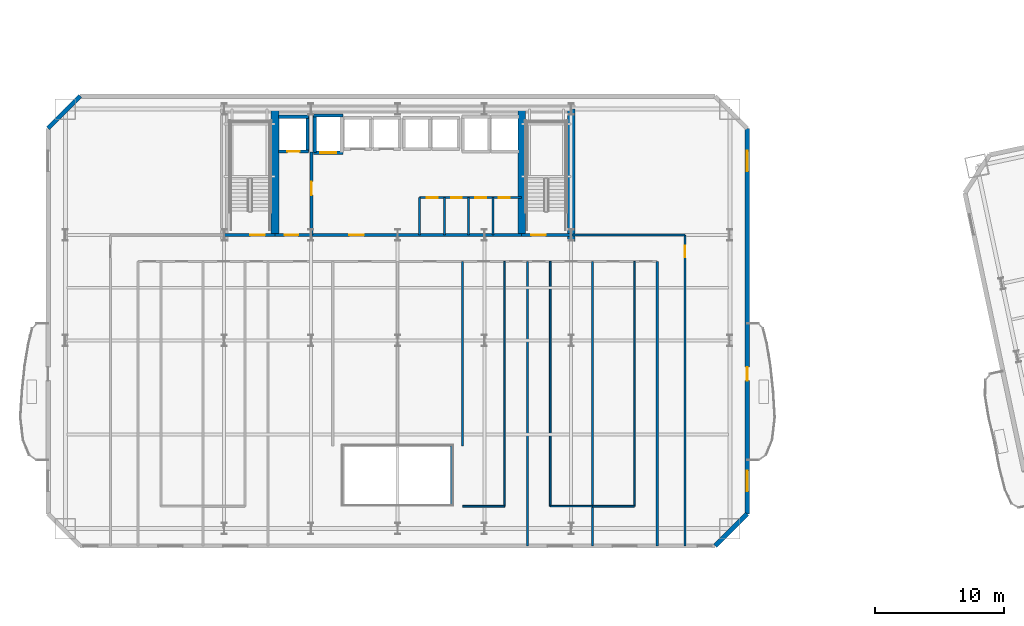
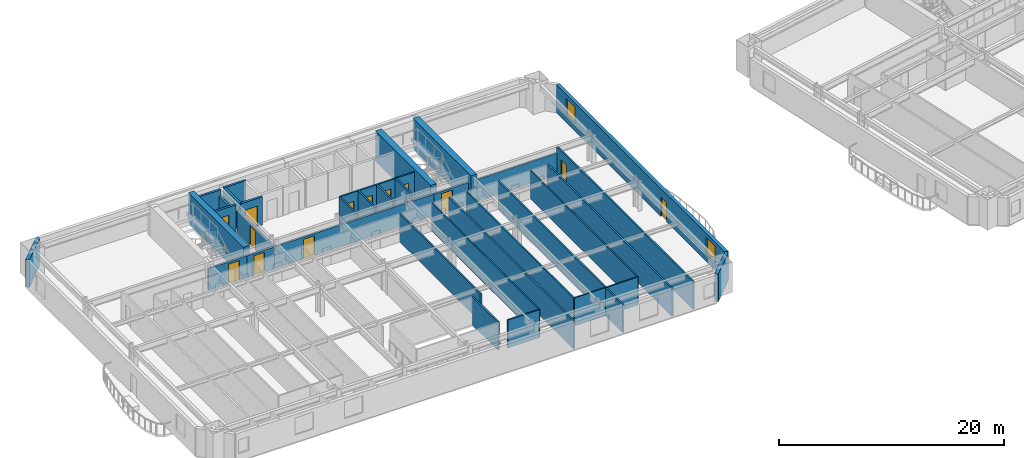
# One storey, part 6 of 17: 35 walls, 13 doors, 2 windows, 15 openings.
"""IFC4 building model written with IfcOpenShell, lengths in metres."""

from ifc_helpers import new_model, si_unit, direction, frame, frame_2d, origin, place, context, subcontext, project, spatial, rectangle, extrude, material, layer, layer_set, type_object, element, fill, save


model = new_model("IFC4")

# Units and contexts
model_context = context("Model", 3, precision=1e-05, world=origin(), true_north=direction((0.0, 1.0)))
body_context = subcontext(model_context, "Body", "Model", "MODEL_VIEW")
ifc_project = project(units=[si_unit("LENGTHUNIT", "METRE"), si_unit("AREAUNIT", "SQUARE_METRE"), si_unit("VOLUMEUNIT", "CUBIC_METRE"), si_unit("PLANEANGLEUNIT", "RADIAN"), si_unit("MASSUNIT", "GRAM", prefix="KILO")], contexts=[model_context])

# Site, building, storey
site_placement = place(None, origin())
site = spatial("IfcSite", under=ifc_project, at=site_placement, CompositionType="ELEMENT")
building_placement = place(site_placement, origin())
building = spatial("IfcBuilding", under=site, at=building_placement, Name="Haevon Station Towers", CompositionType="ELEMENT")
storey_placement = place(building_placement, frame((0.0, 0.0, 37.199951171875)))
storey = spatial("IfcBuildingStorey", under=building, at=storey_placement, Name="L08", CompositionType="ELEMENT", Elevation=37.199951171875)

# Wall, opening, door
ifc_material_1 = material(Name="Gypsum board on steel stud", Category="steel")
ifc_layer_1 = layer(ifc_material_1, 0.199951171875)
ifc_layer_set_1 = layer_set([ifc_layer_1], Name="Gypsum board on steel stud")
wall_type_1 = type_object("IfcWallType", Name="WL-COR200", PredefinedType="PARTITIONING", material=ifc_layer_set_1)
wall_1_placement = place(storey_placement, frame((24.0, 38.199951171875, 0.0), z_axis=(0.0, 0.0, 1.0), x_axis=(1.0, 0.0, 0.0)))
wall_1 = element("IfcWall", 1, at=wall_1_placement, inside=storey, type_object=wall_type_1, Name="WL-ST-ST1-L08", PredefinedType="PARTITIONING", context=body_context, shape_type="SweptSolid", body=[
    extrude(rectangle(XDim=3.949951171875, YDim=0.199951171875, at=frame_2d((1.97509765625, 0.0))), origin(), (0.0, 0.0, 1.0), 2.330078125),
])
opening_1_placement = place(wall_1_placement, frame((2.050048828125, 0.0, 0.0)))
opening_1 = element("IfcOpeningElement", 2, at=opening_1_placement, cuts=wall_1, Name="Opening DR-ST-ST1-L08", PredefinedType="OPENING", context=body_context, shape_type="SweptSolid", body=[
    extrude(rectangle(XDim=1.1201171875, YDim=2.10009765625, at=frame_2d((0.56005859375, 1.050048828125))), frame((0.0, 0.10986328125, 0.0), z_axis=(0.0, -1.0, 0.0), x_axis=(1.0, 0.0, 0.0)), (0.0, 0.0, 1.0), 0.219970703125),
])
ifc_material_2 = material(Name="Engineered oak timber", Category="wood")
door_type_1 = type_object("IfcDoorType", Name="DR-ST-1120", OperationType="NOTDEFINED", PredefinedType="DOOR", material=ifc_material_2)
door_1_placement = place(opening_1_placement, origin())
door_1 = element("IfcDoor", 3, at=door_1_placement, inside=storey, type_object=door_type_1, Name="L08 Escape Stair ST1 Fire Door", OperationType="SINGLE_SWING_LEFT", OverallHeight=2.10009765625, OverallWidth=1.1201171875, PredefinedType="DOOR", context=body_context, shape_type="SweptSolid", body=[
    extrude(rectangle(XDim=1.1201171875, YDim=2.10009765625, at=frame_2d((0.56005859375, 1.050048828125))), frame((0.0, 0.02490234375, 0.0), z_axis=(0.0, -1.0, 0.0), x_axis=(1.0, 0.0, 0.0)), (0.0, 0.0, 1.0), 0.050048828125),
])
fill(opening_1, door_1)

wall_2_placement = place(storey_placement, frame((47.14990234375, 38.199951171875, 0.0), z_axis=(0.0, 0.0, 1.0), x_axis=(1.0, 0.0, 0.0)))
wall_2 = element("IfcWall", 4, at=wall_2_placement, inside=storey, type_object=wall_type_1, Name="WL-ST-ST2-L08", PredefinedType="PARTITIONING", context=body_context, shape_type="SweptSolid", body=[
    extrude(rectangle(XDim=3.85009765625, YDim=0.199951171875, at=frame_2d((1.925048828125, 0.0))), origin(), (0.0, 0.0, 1.0), 2.330078125),
])
opening_2_placement = place(wall_2_placement, frame((0.75, 0.0, 0.0)))
opening_2 = element("IfcOpeningElement", 5, at=opening_2_placement, cuts=wall_2, Name="Opening DR-ST-ST2-L08", PredefinedType="OPENING", context=body_context, shape_type="SweptSolid", body=[
    extrude(rectangle(XDim=1.1201171875, YDim=2.10009765625, at=frame_2d((0.56005859375, 1.050048828125))), frame((0.0, 0.10986328125, 0.0), z_axis=(0.0, -1.0, 0.0), x_axis=(1.0, 0.0, 0.0)), (0.0, 0.0, 1.0), 0.219970703125),
])
door_2_placement = place(opening_2_placement, origin())
door_2 = element("IfcDoor", 6, at=door_2_placement, inside=storey, type_object=door_type_1, Name="L08 Escape Stair ST2 Fire Door", OperationType="SINGLE_SWING_RIGHT", OverallHeight=2.10009765625, OverallWidth=1.1201171875, PredefinedType="DOOR", context=body_context, shape_type="SweptSolid", body=[
    extrude(rectangle(XDim=1.1201171875, YDim=2.10009765625, at=frame_2d((0.56005859375, 1.050048828125))), frame((0.0, 0.02490234375, 0.0), z_axis=(0.0, -1.0, 0.0), x_axis=(1.0, 0.0, 0.0)), (0.0, 0.0, 1.0), 0.050048828125),
])
fill(opening_2, door_2)

wall_3_placement = place(storey_placement, frame((30.800048828125, 38.199951171875, 0.0), z_axis=(0.0, 0.0, 1.0), x_axis=(0.0, 1.0, 0.0)))
wall_3 = element("IfcWall", 7, at=wall_3_placement, inside=storey, type_object=wall_type_1, Name="WL-T1FFL-L08-E", PredefinedType="PARTITIONING", context=body_context, shape_type="SweptSolid", body=[
    extrude(rectangle(XDim=6.449951171875, YDim=0.199951171875, at=frame_2d((3.22509765625, 0.0))), origin(), (0.0, 0.0, 1.0), 2.330078125),
])
opening_3_placement = place(wall_3_placement, frame((3.10009765625, 0.0, 0.0)))
opening_3 = element("IfcOpeningElement", 8, at=opening_3_placement, cuts=wall_3, Name="Opening DR-T1FFL-L08-E", PredefinedType="OPENING", context=body_context, shape_type="SweptSolid", body=[
    extrude(rectangle(XDim=1.050048828125, YDim=2.10009765625, at=frame_2d((0.52490234375, 1.050048828125))), frame((0.0, 0.10986328125, 0.0), z_axis=(0.0, -1.0, 0.0), x_axis=(1.0, 0.0, 0.0)), (0.0, 0.0, 1.0), 0.219970703125),
])
door_type_2 = type_object("IfcDoorType", Name="DR-FD60-1050", OperationType="NOTDEFINED", PredefinedType="DOOR", material=ifc_material_2)
door_3_placement = place(opening_3_placement, origin())
door_3 = element("IfcDoor", 9, at=door_3_placement, inside=storey, type_object=door_type_2, Name="L08 Tower 1 Firefighting Lift Lobby Door E", OperationType="SINGLE_SWING_LEFT", OverallHeight=2.10009765625, OverallWidth=1.050048828125, PredefinedType="DOOR", context=body_context, shape_type="SweptSolid", body=[
    extrude(rectangle(XDim=1.050048828125, YDim=2.10009765625, at=frame_2d((0.52490234375, 1.050048828125))), frame((0.0, 0.02490234375, 0.0), z_axis=(0.0, -1.0, 0.0), x_axis=(1.0, 0.0, 0.0)), (0.0, 0.0, 1.0), 0.050048828125),
])
fill(opening_3, door_3)

wall_4_placement = place(storey_placement, frame((27.949951171875, 38.199951171875, 0.0), z_axis=(0.0, 0.0, 1.0), x_axis=(1.0, 0.0, 0.0)))
wall_4 = element("IfcWall", 10, at=wall_4_placement, inside=storey, type_object=wall_type_1, Name="WL-T1FFL-L08-S", PredefinedType="PARTITIONING", context=body_context, shape_type="SweptSolid", body=[
    extrude(rectangle(XDim=2.85009765625, YDim=0.199951171875, at=frame_2d((1.425048828125, 0.0))), origin(), (0.0, 0.0, 1.0), 2.330078125),
])
opening_4_placement = place(wall_4_placement, frame((0.75, 0.0, 0.0)))
opening_4 = element("IfcOpeningElement", 11, at=opening_4_placement, cuts=wall_4, Name="Opening DR-T1FFL-L08-S", PredefinedType="OPENING", context=body_context, shape_type="SweptSolid", body=[
    extrude(rectangle(XDim=1.050048828125, YDim=2.10009765625, at=frame_2d((0.52490234375, 1.050048828125))), frame((0.0, 0.10986328125, 0.0), z_axis=(0.0, -1.0, 0.0), x_axis=(1.0, 0.0, 0.0)), (0.0, 0.0, 1.0), 0.219970703125),
])
door_4_placement = place(opening_4_placement, origin())
door_4 = element("IfcDoor", 12, at=door_4_placement, inside=storey, type_object=door_type_2, Name="L08 Tower 1 Firefighting Lift Lobby Door S", OperationType="SINGLE_SWING_RIGHT", OverallHeight=2.10009765625, OverallWidth=1.050048828125, PredefinedType="DOOR", context=body_context, shape_type="SweptSolid", body=[
    extrude(rectangle(XDim=1.050048828125, YDim=2.10009765625, at=frame_2d((0.52490234375, 1.050048828125))), frame((0.0, 0.02490234375, 0.0), z_axis=(0.0, -1.0, 0.0), x_axis=(1.0, 0.0, 0.0)), (0.0, 0.0, 1.0), 0.050048828125),
])
fill(opening_4, door_4)

wall_5_placement = place(storey_placement, frame((30.800048828125, 38.199951171875, 0.0), z_axis=(0.0, 0.0, 1.0), x_axis=(1.0, 0.0, 0.0)))
wall_5 = element("IfcWall", 13, at=wall_5_placement, inside=storey, type_object=wall_type_1, Name="WL-T1CLB-L08", PredefinedType="PARTITIONING", context=body_context, shape_type="SweptSolid", body=[
    extrude(rectangle(XDim=16.349853515625, YDim=0.199951171875, at=frame_2d((8.1748046875, 0.0))), origin(), (0.0, 0.0, 1.0), 2.330078125),
])
opening_5_placement = place(wall_5_placement, frame((2.949951171875, 0.0, 0.0)))
opening_5 = element("IfcOpeningElement", 14, at=opening_5_placement, cuts=wall_5, Name="Opening DR-T1CLB-L08-1", PredefinedType="OPENING", context=body_context, shape_type="SweptSolid", body=[
    extrude(rectangle(XDim=1.1201171875, YDim=2.10009765625, at=frame_2d((0.56005859375, 1.050048828125))), frame((0.0, 0.10986328125, 0.0), z_axis=(0.0, -1.0, 0.0), x_axis=(1.0, 0.0, 0.0)), (0.0, 0.0, 1.0), 0.219970703125),
])
door_5_placement = place(opening_5_placement, origin())
door_5 = element("IfcDoor", 15, at=door_5_placement, inside=storey, type_object=door_type_1, Name="L08 Tower 1 Core Lift Lobby Door 1", OperationType="SINGLE_SWING_LEFT", OverallHeight=2.10009765625, OverallWidth=1.1201171875, PredefinedType="DOOR", context=body_context, shape_type="SweptSolid", body=[
    extrude(rectangle(XDim=1.1201171875, YDim=2.10009765625, at=frame_2d((0.56005859375, 1.050048828125))), frame((0.0, 0.02490234375, 0.0), z_axis=(0.0, -1.0, 0.0), x_axis=(1.0, 0.0, 0.0)), (0.0, 0.0, 1.0), 0.050048828125),
])
fill(opening_5, door_5)

# Walls
ifc_material_3 = material(Name="Concrete C60/75", Category="concrete")
ifc_layer_2 = layer(ifc_material_3, 0.60009765625)
ifc_layer_set_2 = layer_set([ifc_layer_2], Name="Concrete C60/75")
wall_type_2 = type_object("IfcWallType", Name="WL-CR600", PredefinedType="SHEAR", material=ifc_layer_set_2)
wall_6_placement = place(storey_placement, frame((51.0, 37.679931640625, 0.0), z_axis=(0.0, 0.0, 1.0), x_axis=(0.0, 1.0, 0.0)))
element("IfcWall", 16, at=wall_6_placement, inside=storey, type_object=wall_type_2, Name="WL-T1CR-L08-E", PredefinedType="SHEAR", context=body_context, shape_type="SweptSolid", body=[
    extrude(rectangle(XDim=10.320068359375, YDim=0.60009765625, at=frame_2d((5.16015625, 0.0))), origin(), (0.0, 0.0, 1.0), 3.300048828125),
])
for number, where, z_axis, x_axis, name in (
    (17, (27.949951171875, 38.199951171875, 0.0), (0.0, 0.0, 1.0), (0.0, 1.0, 0.0), "WL-T1CR-L08-M1"),
    (18, (47.14990234375, 38.199951171875, 0.0), (0.0, 0.0, 1.0), (0.0, 1.0, 0.0), "WL-T1CR-L08-M2"),
):
    element("IfcWall", number, at=place(storey_placement, frame(where, z_axis=z_axis, x_axis=x_axis)), inside=storey, type_object=wall_type_2, Name=name, PredefinedType="SHEAR", context=body_context, shape_type="SweptSolid", body=[
        extrude(rectangle(XDim=9.800048828125, YDim=0.60009765625, at=frame_2d((4.89990234375, 0.0))), origin(), (0.0, 0.0, 1.0), 3.300048828125),
    ])
ifc_material_4 = material(Name="Precast concrete C45/55", Category="concrete")
ifc_layer_3 = layer(ifc_material_4, 0.340087890625)
ifc_layer_set_3 = layer_set([ifc_layer_3], Name="Precast concrete C45/55")
wall_type_3 = type_object("IfcWallType", Name="WL-EXT-PIER340", PredefinedType="SOLIDWALL", material=ifc_layer_set_3)
wall_7_placement = place(storey_placement, frame((10.300048828125, 46.5, 0.0), z_axis=(0.0, 0.0, 1.0), x_axis=(0.707106781187, 0.707106781187, 0.0)))
element("IfcWall", 19, at=wall_7_placement, inside=storey, type_object=wall_type_3, Name="WL-T1-L08-NWC", PredefinedType="SOLIDWALL", context=body_context, shape_type="SweptSolid", body=[
    extrude(rectangle(XDim=3.53564453125, YDim=0.340087890625, at=frame_2d((1.767822265625, 0.0))), origin(), (0.0, 0.0, 1.0), 3.030029296875),
])

# Wall, openings, door, windows
wall_8_placement = place(storey_placement, frame((64.699951171875, 46.5, 0.0), z_axis=(0.0, 0.0, 1.0), x_axis=(0.0, -1.0, 0.0)))
wall_8 = element("IfcWall", 20, at=wall_8_placement, inside=storey, type_object=wall_type_3, Name="WL-T1-L08-E", PredefinedType="SOLIDWALL", context=body_context, shape_type="SweptSolid", body=[
    extrude(rectangle(XDim=30.0, YDim=0.340087890625, at=frame_2d((15.0, 0.0))), origin(), (0.0, 0.0, 1.0), 3.030029296875),
])
opening_6_placement = place(wall_8_placement, frame((18.574951171875, 0.0, 0.0)))
opening_6 = element("IfcOpeningElement", 21, at=opening_6_placement, cuts=wall_8, Name="Opening DR-T1-SCAL-L08-E", PredefinedType="OPENING", context=body_context, shape_type="SweptSolid", body=[
    extrude(rectangle(XDim=1.050048828125, YDim=2.10009765625, at=frame_2d((0.52490234375, 1.050048828125))), frame((0.0, 0.179931640625, 0.0), z_axis=(0.0, -1.0, 0.0), x_axis=(1.0, 0.0, 0.0)), (0.0, 0.0, 1.0), 0.360107421875),
])
opening_7_placement = place(wall_8_placement, frame((1.757080078125, 0.0, 0.800048828125)))
opening_7 = element("IfcOpeningElement", 22, at=opening_7_placement, cuts=wall_8, Name="Opening WN-END160", PredefinedType="OPENING", context=body_context, shape_type="SweptSolid", body=[
    extrude(rectangle(XDim=1.60009765625, YDim=1.800048828125, at=frame_2d((0.800048828125, 0.89990234375))), frame((0.0, 0.179931640625, 0.0), z_axis=(0.0, -1.0, 0.0), x_axis=(1.0, 0.0, 0.0)), (0.0, 0.0, 1.0), 0.360107421875),
])
opening_8_placement = place(wall_8_placement, frame((26.642822265625, 0.0, 0.800048828125)))
opening_8 = element("IfcOpeningElement", 23, at=opening_8_placement, cuts=wall_8, Name="Opening WN-END160", PredefinedType="OPENING", context=body_context, shape_type="SweptSolid", body=[
    extrude(rectangle(XDim=1.60009765625, YDim=1.800048828125, at=frame_2d((0.800048828125, 0.89990234375))), frame((0.0, 0.179931640625, 0.0), z_axis=(0.0, -1.0, 0.0), x_axis=(1.0, 0.0, 0.0)), (0.0, 0.0, 1.0), 0.360107421875),
])
ifc_material_5 = material(Name="Thermally broken anodised aluminium and laminated safety glass", Category="aluminium")
door_type_3 = type_object("IfcDoorType", Name="DR-BALC-1050", OperationType="NOTDEFINED", PredefinedType="DOOR", material=ifc_material_5)
door_6_placement = place(opening_6_placement, origin())
door_6 = element("IfcDoor", 24, at=door_6_placement, inside=storey, type_object=door_type_3, Name="Tower 1 L08 East Scalloped Balcony Door", OperationType="SINGLE_SWING_LEFT", OverallHeight=2.10009765625, OverallWidth=1.050048828125, PredefinedType="DOOR", context=body_context, shape_type="SweptSolid", body=[
    extrude(rectangle(XDim=1.050048828125, YDim=2.10009765625, at=frame_2d((0.52490234375, 1.050048828125))), frame((0.0, 0.02490234375, 0.0), z_axis=(0.0, -1.0, 0.0), x_axis=(1.0, 0.0, 0.0)), (0.0, 0.0, 1.0), 0.050048828125),
])
fill(opening_6, door_6)
ifc_material_6 = material(Name="Low-E triple glazing in thermally broken aluminium", Category="aluminium")
window_type = type_object("IfcWindowType", Name="WN-END160", PartitioningType="SINGLE_PANEL", PredefinedType="WINDOW", material=ifc_material_6)
window_1_placement = place(opening_7_placement, origin())
window_1 = element("IfcWindow", 25, at=window_1_placement, inside=storey, type_object=window_type, Name="WN-T1-L08-E01", OverallHeight=1.800048828125, OverallWidth=1.60009765625, PartitioningType="SINGLE_PANEL", PredefinedType="WINDOW", context=body_context, shape_type="SweptSolid", body=[
    extrude(rectangle(XDim=1.60009765625, YDim=1.800048828125, at=frame_2d((0.800048828125, 0.89990234375))), frame((0.0, 0.030029296875, 0.0), z_axis=(0.0, -1.0, 0.0), x_axis=(1.0, 0.0, 0.0)), (0.0, 0.0, 1.0), 0.06005859375),
])
fill(opening_7, window_1)
window_2_placement = place(opening_8_placement, origin())
window_2 = element("IfcWindow", 26, at=window_2_placement, inside=storey, type_object=window_type, Name="WN-T1-L08-E02", OverallHeight=1.800048828125, OverallWidth=1.60009765625, PartitioningType="SINGLE_PANEL", PredefinedType="WINDOW", context=body_context, shape_type="SweptSolid", body=[
    extrude(rectangle(XDim=1.60009765625, YDim=1.800048828125, at=frame_2d((0.800048828125, 0.89990234375))), frame((0.0, 0.030029296875, 0.0), z_axis=(0.0, -1.0, 0.0), x_axis=(1.0, 0.0, 0.0)), (0.0, 0.0, 1.0), 0.06005859375),
])
fill(opening_8, window_2)

# Walls
wall_9_placement = place(storey_placement, frame((64.699951171875, 16.5, 0.0), z_axis=(0.0, 0.0, 1.0), x_axis=(-0.707106781187, -0.707106781187, 0.0)))
element("IfcWall", 27, at=wall_9_placement, inside=storey, type_object=wall_type_3, Name="WL-T1-L08-SEC", PredefinedType="SOLIDWALL", context=body_context, shape_type="SweptSolid", body=[
    extrude(rectangle(XDim=3.53564453125, YDim=0.340087890625, at=frame_2d((1.767822265625, 0.0))), origin(), (0.0, 0.0, 1.0), 3.030029296875),
])
ifc_layer_4 = layer(ifc_material_1, 0.125)
ifc_layer_set_4 = layer_set([ifc_layer_4], Name="Gypsum board on steel stud")
wall_type_4 = type_object("IfcWallType", Name="WL-PRT125", PredefinedType="PARTITIONING", material=ifc_layer_set_4)
wall_10_placement = place(storey_placement, frame((45.820068359375, 17.10009765625, 0.0), z_axis=(0.0, 0.0, 1.0), x_axis=(0.0, 1.0, 0.0)))
element("IfcWall", 28, at=wall_10_placement, inside=storey, type_object=wall_type_4, Name="WL-T1PT-L08-23", PredefinedType="PARTITIONING", context=body_context, shape_type="SweptSolid", body=[
    extrude(rectangle(XDim=19.0498046875, YDim=0.125, at=frame_2d((9.52490234375, 0.0))), origin(), (0.0, 0.0, 1.0), 3.030029296875),
])
wall_11_placement = place(storey_placement, frame((49.3798828125, 17.10009765625, 0.0), z_axis=(0.0, 0.0, 1.0), x_axis=(1.0, 0.0, 0.0)))
element("IfcWall", 29, at=wall_11_placement, inside=storey, type_object=wall_type_4, Name="WL-T1PT-L08-25", PredefinedType="PARTITIONING", context=body_context, shape_type="SweptSolid", body=[
    extrude(rectangle(XDim=3.27001953125, YDim=0.125, at=frame_2d((1.635009765625, 0.0))), origin(), (0.0, 0.0, 1.0), 3.030029296875),
])
wall_12_placement = place(storey_placement, frame((55.919921875, 17.10009765625, 0.0), z_axis=(0.0, 0.0, 1.0), x_axis=(0.0, 1.0, 0.0)))
element("IfcWall", 30, at=wall_12_placement, inside=storey, type_object=wall_type_4, Name="WL-T1PT-L08-29", PredefinedType="PARTITIONING", context=body_context, shape_type="SweptSolid", body=[
    extrude(rectangle(XDim=19.0498046875, YDim=0.125, at=frame_2d((9.52490234375, 0.0))), origin(), (0.0, 0.0, 1.0), 3.030029296875),
])
ifc_layer_5 = layer(ifc_material_1, 0.139892578125)
ifc_layer_set_5 = layer_set([ifc_layer_5], Name="Gypsum board on steel stud")
wall_type_5 = type_object("IfcWallType", Name="WL-PRT140", PredefinedType="PARTITIONING", material=ifc_layer_set_5)
wall_13_placement = place(storey_placement, frame((42.550048828125, 17.10009765625, 0.0), z_axis=(0.0, 0.0, 1.0), x_axis=(1.0, 0.0, 0.0)))
element("IfcWall", 31, at=wall_13_placement, inside=storey, type_object=wall_type_5, Name="WL-T1PT-L08-22", PredefinedType="PARTITIONING", context=body_context, shape_type="SweptSolid", body=[
    extrude(rectangle(XDim=3.27001953125, YDim=0.139892578125, at=frame_2d((1.635009765625, 0.0))), origin(), (0.0, 0.0, 1.0), 3.030029296875),
])
wall_14_placement = place(storey_placement, frame((49.3798828125, 17.10009765625, 0.0), z_axis=(0.0, 0.0, 1.0), x_axis=(0.0, 1.0, 0.0)))
element("IfcWall", 32, at=wall_14_placement, inside=storey, type_object=wall_type_5, Name="WL-T1PT-L08-26", PredefinedType="PARTITIONING", context=body_context, shape_type="SweptSolid", body=[
    extrude(rectangle(XDim=19.0498046875, YDim=0.139892578125, at=frame_2d((9.52490234375, 0.0))), origin(), (0.0, 0.0, 1.0), 3.030029296875),
])
wall_15_placement = place(storey_placement, frame((52.64990234375, 17.10009765625, 0.0), z_axis=(0.0, 0.0, 1.0), x_axis=(1.0, 0.0, 0.0)))
element("IfcWall", 33, at=wall_15_placement, inside=storey, type_object=wall_type_5, Name="WL-T1PT-L08-28", PredefinedType="PARTITIONING", context=body_context, shape_type="SweptSolid", body=[
    extrude(rectangle(XDim=3.27001953125, YDim=0.139892578125, at=frame_2d((1.635009765625, 0.0))), origin(), (0.0, 0.0, 1.0), 3.030029296875),
])
ifc_layer_6 = layer(ifc_material_1, 0.159912109375)
ifc_layer_set_6 = layer_set([ifc_layer_6], Name="Gypsum board on steel stud")
wall_type_6 = type_object("IfcWallType", Name="WL-PRT160", PredefinedType="PARTITIONING", material=ifc_layer_set_6)
for number, where, z_axis, x_axis, name in (
    (34, (39.199951171875, 38.199951171875, 0.0), (0.0, 0.0, 1.0), (0.0, 1.0, 0.0), "WL-T1CW-L08-01"),
    (35, (41.1298828125, 38.199951171875, 0.0), (0.0, 0.0, 1.0), (0.0, 1.0, 0.0), "WL-T1CW-L08-02"),
    (36, (43.030029296875, 38.199951171875, 0.0), (0.0, 0.0, 1.0), (0.0, 1.0, 0.0), "WL-T1CW-L08-03"),
    (37, (44.929931640625, 38.199951171875, 0.0), (0.0, 0.0, 1.0), (0.0, 1.0, 0.0), "WL-T1CW-L08-04"),
):
    element("IfcWall", number, at=place(storey_placement, frame(where, z_axis=z_axis, x_axis=x_axis)), inside=storey, type_object=wall_type_6, Name=name, PredefinedType="PARTITIONING", context=body_context, shape_type="SweptSolid", body=[
        extrude(rectangle(XDim=2.900146484375, YDim=0.159912109375, at=frame_2d((1.4501953125, 0.0))), origin(), (0.0, 0.0, 1.0), 3.030029296875),
    ])

# Wall, openings, doors
wall_16_placement = place(storey_placement, frame((39.199951171875, 41.10009765625, 0.0), z_axis=(0.0, 0.0, 1.0), x_axis=(1.0, 0.0, 0.0)))
wall_16 = element("IfcWall", 38, at=wall_16_placement, inside=storey, type_object=wall_type_6, Name="WL-T1CW-L08-05", PredefinedType="PARTITIONING", context=body_context, shape_type="SweptSolid", body=[
    extrude(rectangle(XDim=7.949951171875, YDim=0.159912109375, at=frame_2d((3.97509765625, 0.0))), origin(), (0.0, 0.0, 1.0), 3.030029296875),
])
opening_9_placement = place(wall_16_placement, frame((0.56005859375, 0.0, 0.0)))
opening_9 = element("IfcOpeningElement", 39, at=opening_9_placement, cuts=wall_16, Name="Opening DR-WL-T1CW-L08-05-1", PredefinedType="OPENING", context=body_context, shape_type="SweptSolid", body=[
    extrude(rectangle(XDim=0.85009765625, YDim=2.050048828125, at=frame_2d((0.425048828125, 1.02490234375))), frame((0.0, 0.08984375, 0.0), z_axis=(0.0, -1.0, 0.0), x_axis=(1.0, 0.0, 0.0)), (0.0, 0.0, 1.0), 0.179931640625),
])
opening_10_placement = place(wall_16_placement, frame((2.455078125, 0.0, 0.0)))
opening_10 = element("IfcOpeningElement", 40, at=opening_10_placement, cuts=wall_16, Name="Opening DR-WL-T1CW-L08-05-2", PredefinedType="OPENING", context=body_context, shape_type="SweptSolid", body=[
    extrude(rectangle(XDim=0.85009765625, YDim=2.050048828125, at=frame_2d((0.425048828125, 1.02490234375))), frame((0.0, 0.08984375, 0.0), z_axis=(0.0, -1.0, 0.0), x_axis=(1.0, 0.0, 0.0)), (0.0, 0.0, 1.0), 0.179931640625),
])
opening_11_placement = place(wall_16_placement, frame((4.35498046875, 0.0, 0.0)))
opening_11 = element("IfcOpeningElement", 41, at=opening_11_placement, cuts=wall_16, Name="Opening DR-WL-T1CW-L08-05-3", PredefinedType="OPENING", context=body_context, shape_type="SweptSolid", body=[
    extrude(rectangle(XDim=0.85009765625, YDim=2.050048828125, at=frame_2d((0.425048828125, 1.02490234375))), frame((0.0, 0.08984375, 0.0), z_axis=(0.0, -1.0, 0.0), x_axis=(1.0, 0.0, 0.0)), (0.0, 0.0, 1.0), 0.179931640625),
])
opening_12_placement = place(wall_16_placement, frame((6.179931640625, 0.0, 0.0)))
opening_12 = element("IfcOpeningElement", 42, at=opening_12_placement, cuts=wall_16, Name="Opening DR-WL-T1CW-L08-05-4", PredefinedType="OPENING", context=body_context, shape_type="SweptSolid", body=[
    extrude(rectangle(XDim=0.85009765625, YDim=2.050048828125, at=frame_2d((0.425048828125, 1.02490234375))), frame((0.0, 0.08984375, 0.0), z_axis=(0.0, -1.0, 0.0), x_axis=(1.0, 0.0, 0.0)), (0.0, 0.0, 1.0), 0.179931640625),
])
door_type_4 = type_object("IfcDoorType", Name="DR-FD30-850", OperationType="NOTDEFINED", PredefinedType="DOOR", material=ifc_material_2)
door_7_placement = place(opening_9_placement, origin())
door_7 = element("IfcDoor", 43, at=door_7_placement, inside=storey, type_object=door_type_4, Name="L08 Tower 1 Core Room Door 5-1", OperationType="SINGLE_SWING_RIGHT", OverallHeight=2.050048828125, OverallWidth=0.85009765625, PredefinedType="DOOR", context=body_context, shape_type="SweptSolid", body=[
    extrude(rectangle(XDim=0.85009765625, YDim=2.050048828125, at=frame_2d((0.425048828125, 1.02490234375))), frame((0.0, 0.02490234375, 0.0), z_axis=(0.0, -1.0, 0.0), x_axis=(1.0, 0.0, 0.0)), (0.0, 0.0, 1.0), 0.050048828125),
])
fill(opening_9, door_7)
door_8_placement = place(opening_10_placement, origin())
door_8 = element("IfcDoor", 44, at=door_8_placement, inside=storey, type_object=door_type_4, Name="L08 Tower 1 Core Room Door 5-2", OperationType="SINGLE_SWING_LEFT", OverallHeight=2.050048828125, OverallWidth=0.85009765625, PredefinedType="DOOR", context=body_context, shape_type="SweptSolid", body=[
    extrude(rectangle(XDim=0.85009765625, YDim=2.050048828125, at=frame_2d((0.425048828125, 1.02490234375))), frame((0.0, 0.02490234375, 0.0), z_axis=(0.0, -1.0, 0.0), x_axis=(1.0, 0.0, 0.0)), (0.0, 0.0, 1.0), 0.050048828125),
])
fill(opening_10, door_8)
door_9_placement = place(opening_11_placement, origin())
door_9 = element("IfcDoor", 45, at=door_9_placement, inside=storey, type_object=door_type_4, Name="L08 Tower 1 Core Room Door 5-3", OperationType="SINGLE_SWING_RIGHT", OverallHeight=2.050048828125, OverallWidth=0.85009765625, PredefinedType="DOOR", context=body_context, shape_type="SweptSolid", body=[
    extrude(rectangle(XDim=0.85009765625, YDim=2.050048828125, at=frame_2d((0.425048828125, 1.02490234375))), frame((0.0, 0.02490234375, 0.0), z_axis=(0.0, -1.0, 0.0), x_axis=(1.0, 0.0, 0.0)), (0.0, 0.0, 1.0), 0.050048828125),
])
fill(opening_11, door_9)
door_10_placement = place(opening_12_placement, origin())
door_10 = element("IfcDoor", 46, at=door_10_placement, inside=storey, type_object=door_type_4, Name="L08 Tower 1 Core Room Door 5-4", OperationType="SINGLE_SWING_LEFT", OverallHeight=2.050048828125, OverallWidth=0.85009765625, PredefinedType="DOOR", context=body_context, shape_type="SweptSolid", body=[
    extrude(rectangle(XDim=0.85009765625, YDim=2.050048828125, at=frame_2d((0.425048828125, 1.02490234375))), frame((0.0, 0.02490234375, 0.0), z_axis=(0.0, -1.0, 0.0), x_axis=(1.0, 0.0, 0.0)), (0.0, 0.0, 1.0), 0.050048828125),
])
fill(opening_12, door_10)

# Walls
wall_17_placement = place(storey_placement, frame((57.699951171875, 14.0, 0.0), z_axis=(0.0, 0.0, 1.0), x_axis=(0.0, 1.0, 0.0)))
element("IfcWall", 47, at=wall_17_placement, inside=storey, type_object=wall_type_6, Name="WL-T1PT-L08-02", PredefinedType="PARTITIONING", context=body_context, shape_type="SweptSolid", body=[
    extrude(rectangle(XDim=22.14990234375, YDim=0.159912109375, at=frame_2d((11.074951171875, 0.0))), origin(), (0.0, 0.0, 1.0), 3.030029296875),
])
wall_18_placement = place(storey_placement, frame((51.0, 38.199951171875, 0.0), z_axis=(0.0, 0.0, 1.0), x_axis=(1.0, 0.0, 0.0)))
element("IfcWall", 48, at=wall_18_placement, inside=storey, type_object=wall_type_6, Name="WL-T1PT-L08-04", PredefinedType="PARTITIONING", context=body_context, shape_type="SweptSolid", body=[
    extrude(rectangle(XDim=8.85009765625, YDim=0.159912109375, at=frame_2d((4.425048828125, 0.0))), origin(), (0.0, 0.0, 1.0), 2.330078125),
])

# Wall, opening, door
wall_19_placement = place(storey_placement, frame((59.85009765625, 14.0, 0.0), z_axis=(0.0, 0.0, 1.0), x_axis=(0.0, 1.0, 0.0)))
wall_19 = element("IfcWall", 49, at=wall_19_placement, inside=storey, type_object=wall_type_6, Name="WL-T1PT-L08-06", PredefinedType="PARTITIONING", context=body_context, shape_type="SweptSolid", body=[
    extrude(rectangle(XDim=24.199951171875, YDim=0.159912109375, at=frame_2d((12.10009765625, 0.0))), origin(), (0.0, 0.0, 1.0), 3.030029296875),
])
opening_13_placement = place(wall_19_placement, frame((22.469970703125, 0.0, 0.0)))
opening_13 = element("IfcOpeningElement", 50, at=opening_13_placement, cuts=wall_19, Name="Opening DR-WL-T1PT-L08-06-01", PredefinedType="OPENING", context=body_context, shape_type="SweptSolid", body=[
    extrude(rectangle(XDim=0.89990234375, YDim=2.050048828125, at=frame_2d((0.449951171875, 1.02490234375))), frame((0.0, 0.08984375, 0.0), z_axis=(0.0, -1.0, 0.0), x_axis=(1.0, 0.0, 0.0)), (0.0, 0.0, 1.0), 0.179931640625),
])
door_type_5 = type_object("IfcDoorType", Name="DR-INT-900", OperationType="NOTDEFINED", PredefinedType="DOOR", material=ifc_material_2)
door_11_placement = place(opening_13_placement, origin())
door_11 = element("IfcDoor", 51, at=door_11_placement, inside=storey, type_object=door_type_5, Name="L08 Tower 1 Room Door 6-1", OperationType="SINGLE_SWING_LEFT", OverallHeight=2.050048828125, OverallWidth=0.89990234375, PredefinedType="DOOR", context=body_context, shape_type="SweptSolid", body=[
    extrude(rectangle(XDim=0.89990234375, YDim=2.050048828125, at=frame_2d((0.449951171875, 1.02490234375))), frame((0.0, 0.02490234375, 0.0), z_axis=(0.0, -1.0, 0.0), x_axis=(1.0, 0.0, 0.0)), (0.0, 0.0, 1.0), 0.050048828125),
])
fill(opening_13, door_11)

# Walls
wall_20_placement = place(storey_placement, frame((41.699951171875, 17.199951171875, 0.0), z_axis=(0.0, 0.0, 1.0), x_axis=(0.0, 1.0, 0.0)))
element("IfcWall", 52, at=wall_20_placement, inside=storey, type_object=wall_type_6, Name="WL-T1PT-L08-10", PredefinedType="PARTITIONING", context=body_context, shape_type="SweptSolid", body=[
    extrude(rectangle(XDim=4.60009765625, YDim=0.159912109375, at=frame_2d((2.300048828125, 0.0))), origin(), (0.0, 0.0, 1.0), 3.030029296875),
])
wall_21_placement = place(storey_placement, frame((42.550048828125, 21.800048828125, 0.0), z_axis=(0.0, 0.0, 1.0), x_axis=(0.0, 1.0, 0.0)))
element("IfcWall", 53, at=wall_21_placement, inside=storey, type_object=wall_type_6, Name="WL-T1PT-L08-20", PredefinedType="PARTITIONING", context=body_context, shape_type="SweptSolid", body=[
    extrude(rectangle(XDim=14.349853515625, YDim=0.159912109375, at=frame_2d((7.1748046875, 0.0))), origin(), (0.0, 0.0, 1.0), 3.030029296875),
])
for number, where, z_axis, x_axis, name in (
    (54, (47.60009765625, 14.0, 0.0), (0.0, 0.0, 1.0), (0.0, 1.0, 0.0), "WL-T1PT-L08-24"),
    (55, (52.64990234375, 14.0, 0.0), (0.0, 0.0, 1.0), (0.0, 1.0, 0.0), "WL-T1PT-L08-27"),
):
    element("IfcWall", number, at=place(storey_placement, frame(where, z_axis=z_axis, x_axis=x_axis)), inside=storey, type_object=wall_type_6, Name=name, PredefinedType="PARTITIONING", context=body_context, shape_type="SweptSolid", body=[
        extrude(rectangle(XDim=22.14990234375, YDim=0.159912109375, at=frame_2d((11.074951171875, 0.0))), origin(), (0.0, 0.0, 1.0), 3.030029296875),
    ])

# Wall, opening, door
ifc_material_7 = material(Name="Concrete C40/50", Category="concrete")
ifc_layer_7 = layer(ifc_material_7, 0.239990234375)
ifc_layer_set_7 = layer_set([ifc_layer_7], Name="Concrete C40/50")
wall_type_7 = type_object("IfcWallType", Name="WL-SHF240", PredefinedType="PARTITIONING", material=ifc_layer_set_7)
wall_22_placement = place(storey_placement, frame((28.219970703125, 44.699951171875, 0.0), z_axis=(0.0, 0.0, 1.0), x_axis=(1.0, 0.0, 0.0)))
wall_22 = element("IfcWall", 56, at=wall_22_placement, inside=storey, type_object=wall_type_7, Name="WL-SHF-FL1-L08", PredefinedType="PARTITIONING", context=body_context, shape_type="SweptSolid", body=[
    extrude(rectangle(XDim=2.360107421875, YDim=0.239990234375, at=frame_2d((1.18017578125, 0.0))), origin(), (0.0, 0.0, 1.0), 3.030029296875),
])
opening_14_placement = place(wall_22_placement, frame((0.705078125, 0.0, 0.0)))
opening_14 = element("IfcOpeningElement", 57, at=opening_14_placement, cuts=wall_22, Name="Opening LD-FL1-L08", PredefinedType="OPENING", context=body_context, shape_type="SweptSolid", body=[
    extrude(rectangle(XDim=0.949951171875, YDim=2.14990234375, at=frame_2d((0.47509765625, 1.074951171875))), frame((0.0, 0.1298828125, 0.0), z_axis=(0.0, -1.0, 0.0), x_axis=(1.0, 0.0, 0.0)), (0.0, 0.0, 1.0), 0.260009765625),
])
ifc_material_8 = material(Name="Stainless steel and rated core", Category="steel")
door_type_6 = type_object("IfcDoorType", Name="LD-FL950", OperationType="SLIDING_TO_LEFT", PredefinedType="DOOR", material=ifc_material_8)
door_12_placement = place(opening_14_placement, origin())
door_12 = element("IfcDoor", 58, at=door_12_placement, inside=storey, type_object=door_type_6, Name="L08 Lift FL1 Sliding Landing Door", OperationType="SLIDING_TO_LEFT", OverallHeight=2.14990234375, OverallWidth=0.949951171875, PredefinedType="DOOR", context=body_context, shape_type="SweptSolid", body=[
    extrude(rectangle(XDim=0.949951171875, YDim=2.14990234375, at=frame_2d((0.47509765625, 1.074951171875))), frame((0.0, 0.02490234375, 0.0), z_axis=(0.0, -1.0, 0.0), x_axis=(1.0, 0.0, 0.0)), (0.0, 0.0, 1.0), 0.050048828125),
])
fill(opening_14, door_12)

# Walls
wall_23_placement = place(storey_placement, frame((28.219970703125, 47.39990234375, 0.0), z_axis=(0.0, 0.0, 1.0), x_axis=(1.0, 0.0, 0.0)))
element("IfcWall", 59, at=wall_23_placement, inside=storey, type_object=wall_type_7, Name="WL-SHF-FL1-L08-N", PredefinedType="PARTITIONING", context=body_context, shape_type="SweptSolid", body=[
    extrude(rectangle(XDim=2.360107421875, YDim=0.239990234375, at=frame_2d((1.18017578125, 0.0))), origin(), (0.0, 0.0, 1.0), 3.030029296875),
])
wall_24_placement = place(storey_placement, frame((30.5, 44.699951171875, 0.0), z_axis=(0.0, 0.0, 1.0), x_axis=(0.0, 1.0, 0.0)))
element("IfcWall", 60, at=wall_24_placement, inside=storey, type_object=wall_type_7, Name="WL-SHF-FL1-L08-E", PredefinedType="PARTITIONING", context=body_context, shape_type="SweptSolid", body=[
    extrude(rectangle(XDim=2.699951171875, YDim=0.239990234375, at=frame_2d((1.35009765625, 0.0))), origin(), (0.0, 0.0, 1.0), 2.330078125),
])

# Wall, opening, door
wall_25_placement = place(storey_placement, frame((30.969970703125, 44.60009765625, 0.0), z_axis=(0.0, 0.0, 1.0), x_axis=(1.0, 0.0, 0.0)))
wall_25 = element("IfcWall", 61, at=wall_25_placement, inside=storey, type_object=wall_type_7, Name="WL-SHF-SL1-L08", PredefinedType="PARTITIONING", context=body_context, shape_type="SweptSolid", body=[
    extrude(rectangle(XDim=2.260009765625, YDim=0.239990234375, at=frame_2d((1.1298828125, 0.0))), origin(), (0.0, 0.0, 1.0), 3.030029296875),
])
opening_15_placement = place(wall_25_placement, frame((0.5048828125, 0.0, 0.0)))
opening_15 = element("IfcOpeningElement", 62, at=opening_15_placement, cuts=wall_25, Name="Opening LD-SL1-L08", PredefinedType="OPENING", context=body_context, shape_type="SweptSolid", body=[
    extrude(rectangle(XDim=1.25, YDim=2.199951171875, at=frame_2d((0.625, 1.10009765625))), frame((0.0, 0.1298828125, 0.0), z_axis=(0.0, -1.0, 0.0), x_axis=(1.0, 0.0, 0.0)), (0.0, 0.0, 1.0), 0.260009765625),
])
door_type_7 = type_object("IfcDoorType", Name="LD-SL1250", OperationType="SLIDING_TO_LEFT", PredefinedType="DOOR", material=ifc_material_8)
door_13_placement = place(opening_15_placement, origin())
door_13 = element("IfcDoor", 63, at=door_13_placement, inside=storey, type_object=door_type_7, Name="L08 Lift SL1 Sliding Landing Door", OperationType="SLIDING_TO_LEFT", OverallHeight=2.199951171875, OverallWidth=1.25, PredefinedType="DOOR", context=body_context, shape_type="SweptSolid", body=[
    extrude(rectangle(XDim=1.25, YDim=2.199951171875, at=frame_2d((0.625, 1.10009765625))), frame((0.0, 0.02490234375, 0.0), z_axis=(0.0, -1.0, 0.0), x_axis=(1.0, 0.0, 0.0)), (0.0, 0.0, 1.0), 0.050048828125),
])
fill(opening_15, door_13)

# Walls
wall_26_placement = place(storey_placement, frame((30.969970703125, 47.5, 0.0), z_axis=(0.0, 0.0, 1.0), x_axis=(1.0, 0.0, 0.0)))
element("IfcWall", 64, at=wall_26_placement, inside=storey, type_object=wall_type_7, Name="WL-SHF-SL1-L08-N", PredefinedType="PARTITIONING", context=body_context, shape_type="SweptSolid", body=[
    extrude(rectangle(XDim=2.260009765625, YDim=0.239990234375, at=frame_2d((1.1298828125, 0.0))), origin(), (0.0, 0.0, 1.0), 3.030029296875),
])
wall_27_placement = place(storey_placement, frame((31.050048828125, 44.60009765625, 0.0), z_axis=(0.0, 0.0, 1.0), x_axis=(0.0, 1.0, 0.0)))
element("IfcWall", 65, at=wall_27_placement, inside=storey, type_object=wall_type_7, Name="WL-SHF-SL1-L08-W", PredefinedType="PARTITIONING", context=body_context, shape_type="SweptSolid", body=[
    extrude(rectangle(XDim=2.89990234375, YDim=0.239990234375, at=frame_2d((1.449951171875, 0.0))), origin(), (0.0, 0.0, 1.0), 3.030029296875),
])

save(model, "model.ifc")
